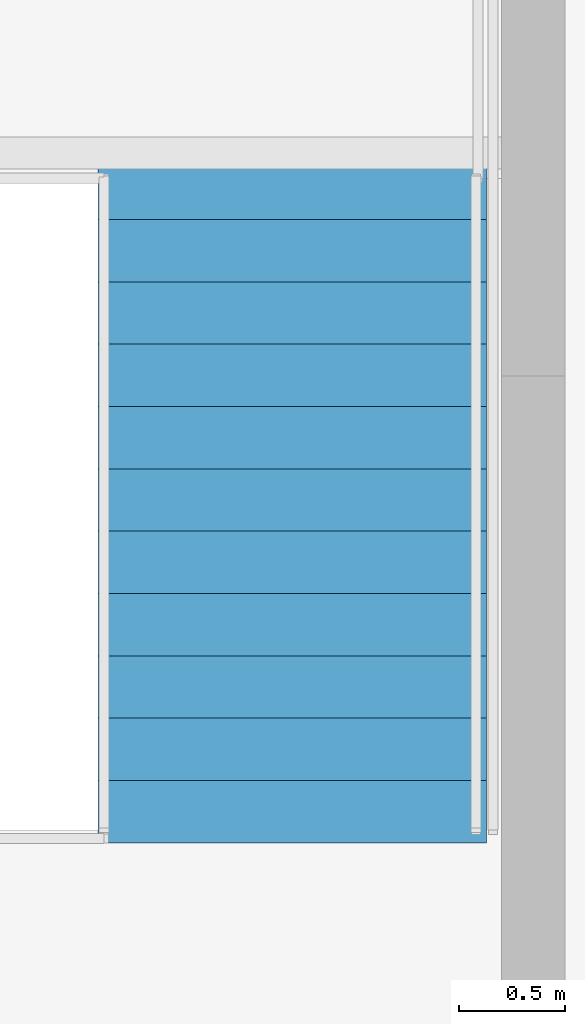
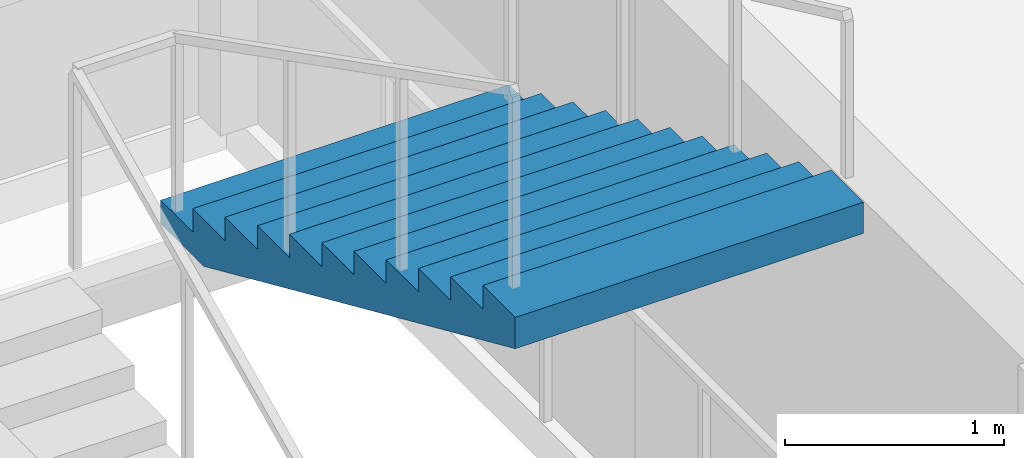
# One storey, part 51 of 54: 1 stair flight, 1 element without a shape of its own.
"""IFC4 building model written with IfcOpenShell, lengths in metres."""

from ifc_helpers import new_model, si_unit, direction, frame, origin, place, context, subcontext, project, spatial, polyline, outline, extrude, material, type_object, element, aggregate, save


model = new_model("IFC4")

# Units and contexts
model_context = context("Model", 3, precision=1e-05, world=origin(), true_north=direction((0.0, 1.0)))
body_context = subcontext(model_context, "Body", "Model", "MODEL_VIEW")
ifc_project = project(units=[si_unit("LENGTHUNIT", "METRE"), si_unit("AREAUNIT", "SQUARE_METRE"), si_unit("VOLUMEUNIT", "CUBIC_METRE"), si_unit("PLANEANGLEUNIT", "RADIAN"), si_unit("MASSUNIT", "GRAM", prefix="KILO")], contexts=[model_context])

# Site, building, storey
site_placement = place(None, origin())
site = spatial("IfcSite", under=ifc_project, at=site_placement, CompositionType="ELEMENT")
building_placement = place(site_placement, origin())
building = spatial("IfcBuilding", under=site, at=building_placement, Name="Taldren Reach Tower", CompositionType="ELEMENT")
storey_placement = place(building_placement, frame((0.0, 0.0, 102.89990234375)))
storey = spatial("IfcBuildingStorey", under=building, at=storey_placement, Name="L31", CompositionType="ELEMENT", Elevation=102.89990234375)

# Stair, stair flight
ifc_material = material(Name="Concrete S50 (50 MPa)", Category="concrete")
stair_type = type_object("IfcStairType", Name="ST-HT-315", PredefinedType="HALF_TURN_STAIR", material=ifc_material)
stair_placement = place(storey_placement, origin())
stair = element("IfcStair", 1, at=stair_placement, inside=storey, type_object=stair_type, Name="Fire-isolated exit stair ST2 L31", PredefinedType="HALF_TURN_STAIR")
stair_flight_type = type_object("IfcStairFlightType", Name="SF-STR-315", PredefinedType="STRAIGHT", material=ifc_material)
stair_flight_placement = place(storey_placement, frame((49.860107421875, 29.235107421875, 1.5751953125), z_axis=(0.0, 0.0, 1.0), x_axis=(0.0, -1.0, 0.0)))
stair_flight = element("IfcStairFlight", 2, at=stair_flight_placement, type_object=stair_flight_type, Name="ST2 flight 2", NumberOfRisers=12, NumberOfTreads=11, PredefinedType="STRAIGHT", RiserHeight=0.13125, TreadLength=0.295, context=body_context, shape_type="SweptSolid", body=[
    extrude(outline(polyline([(0.0, 0.0), (0.0, 0.13134765625), (0.294921875, 0.13134765625), (0.294921875, 0.262451171875), (0.590087890625, 0.262451171875), (0.590087890625, 0.393798828125), (0.885009765625, 0.393798828125), (0.885009765625, 0.52490234375), (1.179931640625, 0.52490234375), (1.179931640625, 0.65625), (1.47509765625, 0.65625), (1.47509765625, 0.78759765625), (1.77001953125, 0.78759765625), (1.77001953125, 0.918701171875), (2.06494140625, 0.918701171875), (2.06494140625, 1.050048828125), (2.360107421875, 1.050048828125), (2.360107421875, 1.18115234375), (2.655029296875, 1.18115234375), (2.655029296875, 1.3125), (2.949951171875, 1.3125), (2.949951171875, 1.44384765625), (3.2451171875, 1.44384765625), (3.2451171875, 1.574951171875), (3.2451171875, 1.268798828125), (0.393310546875, 0.0), (0.0, 0.0)])), frame((0.0, 0.919921875, 0.0), z_axis=(0.0, -1.0, 0.0), x_axis=(1.0, 0.0, 0.0)), (0.0, 0.0, 1.0), 1.840087890625),
])
aggregate(stair, [stair_flight])

save(model, "model.ifc")
